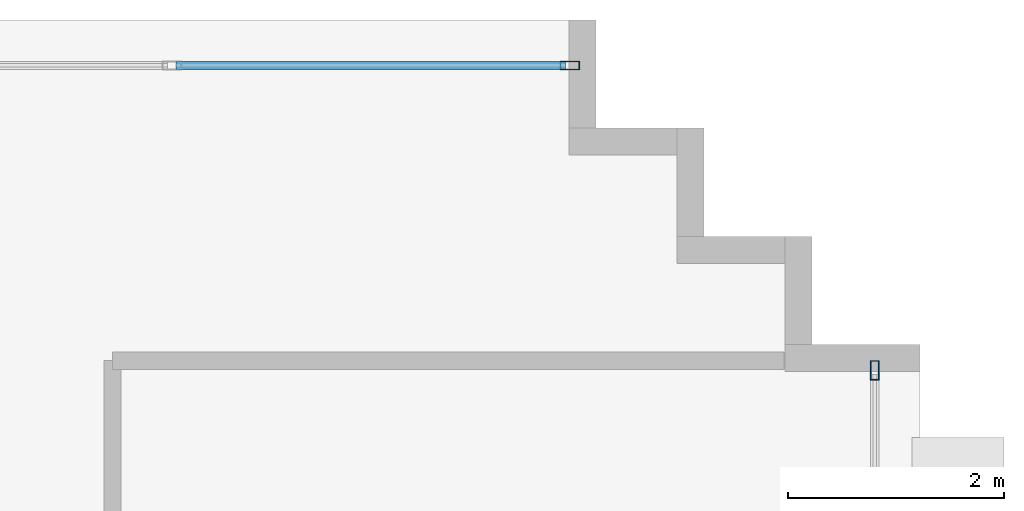
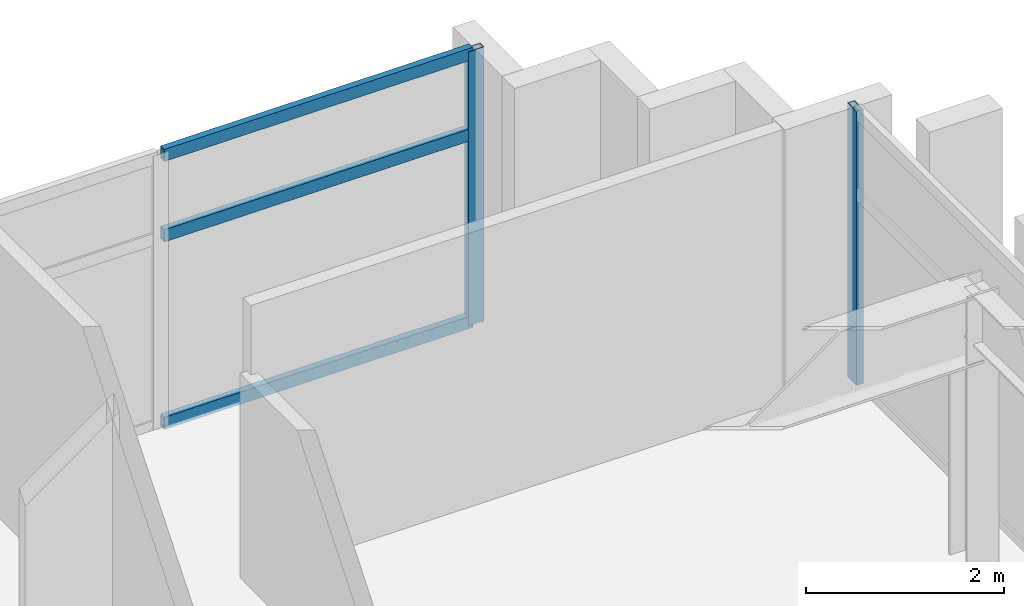
# One storey, part 10 of 15: 5 members, 2 elements without a shape of their own.
"""IFC4 building model written with IfcOpenShell, lengths in metres."""

from ifc_helpers import new_model, si_unit, direction, frame, origin, origin_2d, place, context, subcontext, project, spatial, hollow_rectangle, extrude, source, transform, mapped, material, layer, layer_set, material_profile, profile_set, type_object, element, aggregate, save


model = new_model("IFC4")

# Units and contexts
model_context = context("Model", 3, precision=1e-05, world=origin(), true_north=direction((0.0, 1.0)))
body_context = subcontext(model_context, "Body", "Model", "MODEL_VIEW")
ifc_project = project(units=[si_unit("LENGTHUNIT", "METRE"), si_unit("AREAUNIT", "SQUARE_METRE"), si_unit("VOLUMEUNIT", "CUBIC_METRE"), si_unit("PLANEANGLEUNIT", "RADIAN"), si_unit("MASSUNIT", "GRAM", prefix="KILO")], contexts=[model_context])

# Site, building, storey
site_placement = place(None, origin())
site = spatial("IfcSite", under=ifc_project, at=site_placement, CompositionType="ELEMENT")
building_placement = place(site_placement, origin())
building = spatial("IfcBuilding", under=site, at=building_placement, Name="Ocotamira Hotel", CompositionType="ELEMENT")
storey_placement = place(building_placement, frame((0.0, 0.0, 276.0)))
storey = spatial("IfcBuildingStorey", under=building, at=storey_placement, Name="L70", CompositionType="ELEMENT", Elevation=276.0)

# Curtain wall, member
ifc_material_1 = material(Name="Anodised pale-metal aluminium and solar glass", Category="aluminium")
ifc_layer = layer(ifc_material_1, 0.2099609375)
ifc_layer_set = layer_set([ifc_layer], Name="Anodised pale-metal aluminium and solar glass")
curtain_wall_type = type_object("IfcCurtainWallType", Name="CW-SYS7-PEAK", PredefinedType="NOTDEFINED", material=ifc_layer_set)
curtain_wall_1_placement = place(storey_placement, origin())
curtain_wall_1 = element("IfcCurtainWall", 1, at=curtain_wall_1_placement, inside=storey, type_object=curtain_wall_type, Name="L70 Curtain Wall CW-7 CW-L70-N", PredefinedType="NOTDEFINED")
ifc_material_2 = material(Name="Anodised pale-metal aluminium 6063-T6", Category="aluminium")
ifc_material_profile_1 = material_profile(ifc_material_2, hollow_rectangle(XDim=0.080078125, YDim=0.179931640625, WallThickness=0.006103515625, at=origin_2d()), Name="HSS180X80X6")
ifc_profile_set_1 = profile_set([ifc_material_profile_1], Name="Anodised pale-metal aluminium 6063-T6")
member_type_1 = type_object("IfcMemberType", Name="CWM-180X75", PredefinedType="MULLION", material=ifc_profile_set_1)
shared_shape_1 = source(origin(), body_context, "Body", "SweptSolid", [
    extrude(hollow_rectangle(XDim=0.080078125, YDim=0.179931640625, WallThickness=0.006103515625, at=origin_2d()), origin(), (0.0, 0.0, 1.0), 3.3798828125),
])
member_1_placement = place(storey_placement, frame((29.760009765625, 43.580078125, 0.0), z_axis=(0.0, 0.0, 1.0), x_axis=(0.0, 1.0, 0.0)))
member_1 = element("IfcMember", 2, at=member_1_placement, type_object=member_type_1, Name="CW-7 mullion 6", PredefinedType="MULLION", context=body_context, shape_type="MappedRepresentation", body=[
    mapped(shared_shape_1, transform((0.0, 0.0, 0.0), scale=1.0)),
])

curtain_wall_2_placement = place(storey_placement, origin())
curtain_wall_2 = element("IfcCurtainWall", 3, at=curtain_wall_2_placement, inside=storey, type_object=curtain_wall_type, Name="L70 Curtain Wall CW-7 CW-L70-E2", PredefinedType="NOTDEFINED")
member_2_placement = place(storey_placement, frame((32.580078125, 40.760009765625, 0.0), z_axis=(0.0, 0.0, 1.0), x_axis=(-1.0, 0.0, 0.0)))
member_2 = element("IfcMember", 4, at=member_2_placement, type_object=member_type_1, Name="CW-7 mullion 4", PredefinedType="MULLION", context=body_context, shape_type="MappedRepresentation", body=[
    mapped(shared_shape_1, transform((0.0, 0.0, 0.0), scale=1.0)),
])
aggregate(curtain_wall_2, [member_2])

# Member
ifc_material_profile_2 = material_profile(ifc_material_2, hollow_rectangle(XDim=0.074951171875, YDim=0.14990234375, WallThickness=0.006103515625, at=origin_2d()), Name="HSS150X75X6")
ifc_profile_set_2 = profile_set([ifc_material_profile_2], Name="Anodised pale-metal aluminium 6063-T6")
member_type_2 = type_object("IfcMemberType", Name="CWT-150X75", PredefinedType="USERDEFINED", material=ifc_profile_set_2)
shared_shape_2 = source(origin(), body_context, "Body", "SweptSolid", [
    extrude(hollow_rectangle(XDim=0.074951171875, YDim=0.14990234375, WallThickness=0.006103515625, at=origin_2d()), origin(), (0.0, 0.0, 1.0), 3.599853515625),
])
member_3_placement = place(storey_placement, frame((26.1201171875, 43.580078125, 0.03759765625), z_axis=(1.0, 0.0, 0.0), x_axis=(0.0, 1.0, 0.0)))
member_3 = element("IfcMember", 5, at=member_3_placement, type_object=member_type_2, Name="CW-7 transom 5.1", ObjectType="TRANSOM", PredefinedType="USERDEFINED", context=body_context, shape_type="MappedRepresentation", body=[
    mapped(shared_shape_2, transform((0.0, 0.0, 0.0), scale=1.0)),
])

member_4_placement = place(storey_placement, frame((26.1201171875, 43.580078125, 2.35009765625), z_axis=(1.0, 0.0, 0.0), x_axis=(0.0, 1.0, 0.0)))
member_4 = element("IfcMember", 6, at=member_4_placement, type_object=member_type_2, Name="CW-7 transom 5.2", ObjectType="TRANSOM", PredefinedType="USERDEFINED", context=body_context, shape_type="MappedRepresentation", body=[
    mapped(shared_shape_2, transform((0.0, 0.0, 0.0), scale=1.0)),
])

member_5_placement = place(storey_placement, frame((26.1201171875, 43.580078125, 3.342529296875), z_axis=(1.0, 0.0, 0.0), x_axis=(0.0, 1.0, 0.0)))
member_5 = element("IfcMember", 7, at=member_5_placement, type_object=member_type_2, Name="CW-7 transom 5.3", ObjectType="TRANSOM", PredefinedType="USERDEFINED", context=body_context, shape_type="MappedRepresentation", body=[
    mapped(shared_shape_2, transform((0.0, 0.0, 0.0), scale=1.0)),
])

aggregate(curtain_wall_1, [member_1, member_3, member_4, member_5])

save(model, "model.ifc")
